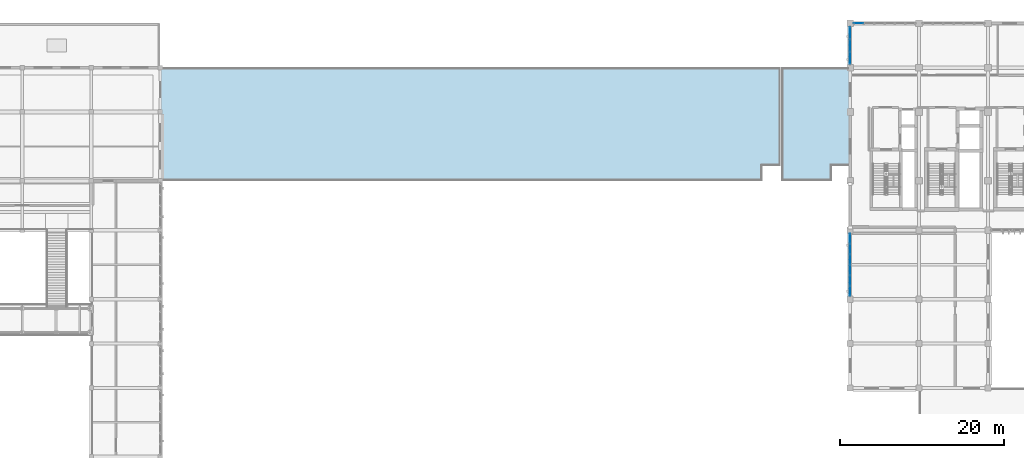
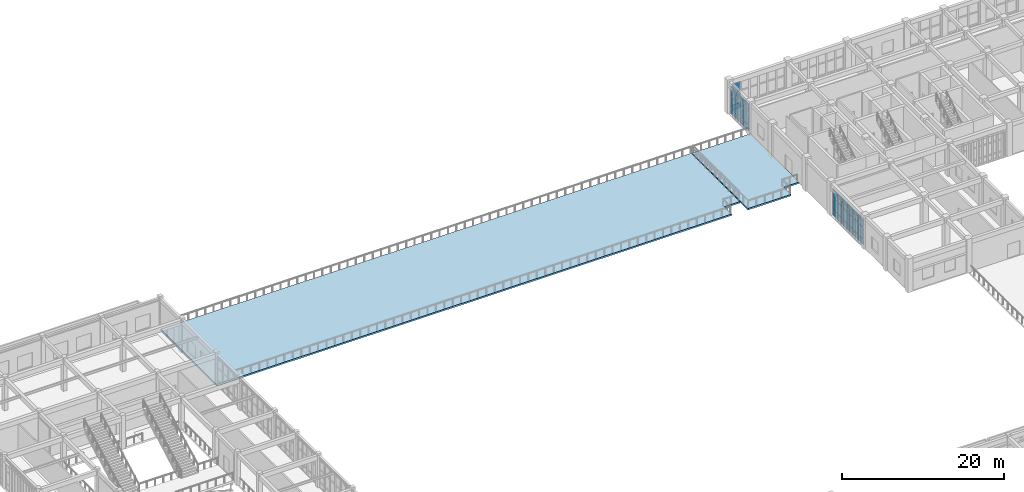
# One storey, part 62 of 93: 30 plates, 2 slabs, 3 elements without a shape of their own.
"""IFC4 building model written with IfcOpenShell, lengths in metres."""

from ifc_helpers import new_model, si_unit, direction, frame, origin, origin_2d, place, context, subcontext, project, spatial, polyline, rectangle, outline, extrude, material, layer, layer_set, type_object, element, aggregate, save


model = new_model("IFC4")

# Units and contexts
model_context = context("Model", 3, precision=1e-05, world=origin(), true_north=direction((0.0, 1.0)))
body_context = subcontext(model_context, "Body", "Model", "MODEL_VIEW")
ifc_project = project(units=[si_unit("LENGTHUNIT", "METRE"), si_unit("AREAUNIT", "SQUARE_METRE"), si_unit("VOLUMEUNIT", "CUBIC_METRE"), si_unit("PLANEANGLEUNIT", "RADIAN"), si_unit("MASSUNIT", "GRAM", prefix="KILO")], contexts=[model_context])

# Site, building, storey
site_placement = place(None, origin())
site = spatial("IfcSite", under=ifc_project, at=site_placement, CompositionType="ELEMENT")
building_placement = place(site_placement, origin())
building = spatial("IfcBuilding", under=site, at=building_placement, Name="Krzemoval Escarpment Law Courts", CompositionType="ELEMENT")
storey_placement = place(building_placement, frame((0.0, 0.0, 10.199951171875)))
storey = spatial("IfcBuildingStorey", under=building, at=storey_placement, Name="L02", CompositionType="ELEMENT", Elevation=10.199951171875)

# Curtain wall, plates
ifc_material_1 = material(Name="Aluminium 6063-T6", Category="aluminium")
ifc_layer_1 = layer(ifc_material_1, 0.239990234375)
ifc_layer_set_1 = layer_set([ifc_layer_1], Name="Aluminium 6063-T6")
curtain_wall_type = type_object("IfcCurtainWallType", Name="CW-CHMB-4800", PredefinedType="USERDEFINED", material=ifc_layer_set_1)
curtain_wall_1_placement = place(storey_placement, origin())
curtain_wall_1 = element("IfcCurtainWall", 1, at=curtain_wall_1_placement, inside=storey, type_object=curtain_wall_type, Name="Unitised Curtain Wall FCW-L02-086", ObjectType="UNITISED_CURTAIN_WALL", PredefinedType="USERDEFINED")
ifc_material_2 = material(Name="Triple Glazing IGU", Category="glass")
ifc_layer_2 = layer(ifc_material_2, 0.048095703125)
ifc_layer_set_2 = layer_set([ifc_layer_2], Name="Triple Glazing IGU")
plate_type = type_object("IfcPlateType", Name="CWP-GLZ-48", PredefinedType="CURTAIN_PANEL", material=ifc_layer_set_2)
plate_1_placement = place(storey_placement, frame((127.052001953125, 118.800048828125, 0.074951171875), z_axis=(0.0, 0.0, 1.0), x_axis=(1.0, 0.0, 0.0)))
plate_1 = element("IfcPlate", 2, at=plate_1_placement, type_object=plate_type, Name="FCW-L02-086 panel 1.1", PredefinedType="CURTAIN_PANEL", context=body_context, shape_type="SweptSolid", body=[
    extrude(rectangle(XDim=1.154052734375, YDim=0.048095703125, at=origin_2d()), origin(), (0.0, 0.0, 1.0), 0.78759765625),
])
plate_2_placement = place(storey_placement, frame((127.052001953125, 118.800048828125, 0.9375), z_axis=(0.0, 0.0, 1.0), x_axis=(1.0, 0.0, 0.0)))
plate_2 = element("IfcPlate", 3, at=plate_2_placement, type_object=plate_type, Name="FCW-L02-086 panel 1.2", PredefinedType="CURTAIN_PANEL", context=body_context, shape_type="SweptSolid", body=[
    extrude(rectangle(XDim=1.154052734375, YDim=0.048095703125, at=origin_2d()), origin(), (0.0, 0.0, 1.0), 1.72509765625),
])
plate_3_placement = place(storey_placement, frame((127.052001953125, 118.800048828125, 2.737548828125), z_axis=(0.0, 0.0, 1.0), x_axis=(1.0, 0.0, 0.0)))
plate_3 = element("IfcPlate", 4, at=plate_3_placement, type_object=plate_type, Name="FCW-L02-086 panel 1.3", PredefinedType="CURTAIN_PANEL", context=body_context, shape_type="SweptSolid", body=[
    extrude(rectangle(XDim=1.154052734375, YDim=0.048095703125, at=origin_2d()), origin(), (0.0, 0.0, 1.0), 1.3076171875),
])
aggregate(curtain_wall_1, [plate_1, plate_2, plate_3])

curtain_wall_2_placement = place(storey_placement, origin())
curtain_wall_2 = element("IfcCurtainWall", 5, at=curtain_wall_2_placement, inside=storey, type_object=curtain_wall_type, Name="Unitised Curtain Wall FCW-L02-094", ObjectType="UNITISED_CURTAIN_WALL", PredefinedType="USERDEFINED")
plate_4_placement = place(storey_placement, frame((126.0, 86.231201171875, 0.074951171875), z_axis=(0.0, 0.0, 1.0), x_axis=(0.0, 1.0, 0.0)))
plate_4 = element("IfcPlate", 6, at=plate_4_placement, type_object=plate_type, Name="FCW-L02-094 panel 1.1", PredefinedType="CURTAIN_PANEL", context=body_context, shape_type="SweptSolid", body=[
    extrude(rectangle(XDim=1.16259765625, YDim=0.048095703125, at=origin_2d()), origin(), (0.0, 0.0, 1.0), 0.78759765625),
])
plate_5_placement = place(storey_placement, frame((126.0, 86.231201171875, 0.9375), z_axis=(0.0, 0.0, 1.0), x_axis=(0.0, 1.0, 0.0)))
plate_5 = element("IfcPlate", 7, at=plate_5_placement, type_object=plate_type, Name="FCW-L02-094 panel 1.2", PredefinedType="CURTAIN_PANEL", context=body_context, shape_type="SweptSolid", body=[
    extrude(rectangle(XDim=1.16259765625, YDim=0.048095703125, at=origin_2d()), origin(), (0.0, 0.0, 1.0), 1.72509765625),
])
plate_6_placement = place(storey_placement, frame((126.0, 86.231201171875, 2.737548828125), z_axis=(0.0, 0.0, 1.0), x_axis=(0.0, 1.0, 0.0)))
plate_6 = element("IfcPlate", 8, at=plate_6_placement, type_object=plate_type, Name="FCW-L02-094 panel 1.3", PredefinedType="CURTAIN_PANEL", context=body_context, shape_type="SweptSolid", body=[
    extrude(rectangle(XDim=1.16259765625, YDim=0.048095703125, at=origin_2d()), origin(), (0.0, 0.0, 1.0), 1.3076171875),
])
plate_7_placement = place(storey_placement, frame((126.0, 87.487548828125, 0.074951171875), z_axis=(0.0, 0.0, 1.0), x_axis=(0.0, 1.0, 0.0)))
plate_7 = element("IfcPlate", 9, at=plate_7_placement, type_object=plate_type, Name="FCW-L02-094 panel 2.1", PredefinedType="CURTAIN_PANEL", context=body_context, shape_type="SweptSolid", body=[
    extrude(rectangle(XDim=1.199951171875, YDim=0.048095703125, at=origin_2d()), origin(), (0.0, 0.0, 1.0), 0.78759765625),
])
plate_8_placement = place(storey_placement, frame((126.0, 87.487548828125, 0.9375), z_axis=(0.0, 0.0, 1.0), x_axis=(0.0, 1.0, 0.0)))
plate_8 = element("IfcPlate", 10, at=plate_8_placement, type_object=plate_type, Name="FCW-L02-094 panel 2.2", PredefinedType="CURTAIN_PANEL", context=body_context, shape_type="SweptSolid", body=[
    extrude(rectangle(XDim=1.199951171875, YDim=0.048095703125, at=origin_2d()), origin(), (0.0, 0.0, 1.0), 1.72509765625),
])
plate_9_placement = place(storey_placement, frame((126.0, 87.487548828125, 2.737548828125), z_axis=(0.0, 0.0, 1.0), x_axis=(0.0, 1.0, 0.0)))
plate_9 = element("IfcPlate", 11, at=plate_9_placement, type_object=plate_type, Name="FCW-L02-094 panel 2.3", PredefinedType="CURTAIN_PANEL", context=body_context, shape_type="SweptSolid", body=[
    extrude(rectangle(XDim=1.199951171875, YDim=0.048095703125, at=origin_2d()), origin(), (0.0, 0.0, 1.0), 1.3076171875),
])
plate_10_placement = place(storey_placement, frame((126.0, 88.762451171875, 0.074951171875), z_axis=(0.0, 0.0, 1.0), x_axis=(0.0, 1.0, 0.0)))
plate_10 = element("IfcPlate", 12, at=plate_10_placement, type_object=plate_type, Name="FCW-L02-094 panel 3.1", PredefinedType="CURTAIN_PANEL", context=body_context, shape_type="SweptSolid", body=[
    extrude(rectangle(XDim=1.199951171875, YDim=0.048095703125, at=origin_2d()), origin(), (0.0, 0.0, 1.0), 0.78759765625),
])
plate_11_placement = place(storey_placement, frame((126.0, 88.762451171875, 0.9375), z_axis=(0.0, 0.0, 1.0), x_axis=(0.0, 1.0, 0.0)))
plate_11 = element("IfcPlate", 13, at=plate_11_placement, type_object=plate_type, Name="FCW-L02-094 panel 3.2", PredefinedType="CURTAIN_PANEL", context=body_context, shape_type="SweptSolid", body=[
    extrude(rectangle(XDim=1.199951171875, YDim=0.048095703125, at=origin_2d()), origin(), (0.0, 0.0, 1.0), 1.72509765625),
])
plate_12_placement = place(storey_placement, frame((126.0, 88.762451171875, 2.737548828125), z_axis=(0.0, 0.0, 1.0), x_axis=(0.0, 1.0, 0.0)))
plate_12 = element("IfcPlate", 14, at=plate_12_placement, type_object=plate_type, Name="FCW-L02-094 panel 3.3", PredefinedType="CURTAIN_PANEL", context=body_context, shape_type="SweptSolid", body=[
    extrude(rectangle(XDim=1.199951171875, YDim=0.048095703125, at=origin_2d()), origin(), (0.0, 0.0, 1.0), 1.3076171875),
])
plate_13_placement = place(storey_placement, frame((126.0, 90.03759765625, 0.074951171875), z_axis=(0.0, 0.0, 1.0), x_axis=(0.0, 1.0, 0.0)))
plate_13 = element("IfcPlate", 15, at=plate_13_placement, type_object=plate_type, Name="FCW-L02-094 panel 4.1", PredefinedType="CURTAIN_PANEL", context=body_context, shape_type="SweptSolid", body=[
    extrude(rectangle(XDim=1.199951171875, YDim=0.048095703125, at=origin_2d()), origin(), (0.0, 0.0, 1.0), 0.78759765625),
])
plate_14_placement = place(storey_placement, frame((126.0, 90.03759765625, 0.9375), z_axis=(0.0, 0.0, 1.0), x_axis=(0.0, 1.0, 0.0)))
plate_14 = element("IfcPlate", 16, at=plate_14_placement, type_object=plate_type, Name="FCW-L02-094 panel 4.2", PredefinedType="CURTAIN_PANEL", context=body_context, shape_type="SweptSolid", body=[
    extrude(rectangle(XDim=1.199951171875, YDim=0.048095703125, at=origin_2d()), origin(), (0.0, 0.0, 1.0), 1.72509765625),
])
plate_15_placement = place(storey_placement, frame((126.0, 90.03759765625, 2.737548828125), z_axis=(0.0, 0.0, 1.0), x_axis=(0.0, 1.0, 0.0)))
plate_15 = element("IfcPlate", 17, at=plate_15_placement, type_object=plate_type, Name="FCW-L02-094 panel 4.3", PredefinedType="CURTAIN_PANEL", context=body_context, shape_type="SweptSolid", body=[
    extrude(rectangle(XDim=1.199951171875, YDim=0.048095703125, at=origin_2d()), origin(), (0.0, 0.0, 1.0), 1.3076171875),
])
plate_16_placement = place(storey_placement, frame((126.0, 91.3125, 0.074951171875), z_axis=(0.0, 0.0, 1.0), x_axis=(0.0, 1.0, 0.0)))
plate_16 = element("IfcPlate", 18, at=plate_16_placement, type_object=plate_type, Name="FCW-L02-094 panel 5.1", PredefinedType="CURTAIN_PANEL", context=body_context, shape_type="SweptSolid", body=[
    extrude(rectangle(XDim=1.199951171875, YDim=0.048095703125, at=origin_2d()), origin(), (0.0, 0.0, 1.0), 0.78759765625),
])
plate_17_placement = place(storey_placement, frame((126.0, 91.3125, 0.9375), z_axis=(0.0, 0.0, 1.0), x_axis=(0.0, 1.0, 0.0)))
plate_17 = element("IfcPlate", 19, at=plate_17_placement, type_object=plate_type, Name="FCW-L02-094 panel 5.2", PredefinedType="CURTAIN_PANEL", context=body_context, shape_type="SweptSolid", body=[
    extrude(rectangle(XDim=1.199951171875, YDim=0.048095703125, at=origin_2d()), origin(), (0.0, 0.0, 1.0), 1.72509765625),
])
plate_18_placement = place(storey_placement, frame((126.0, 91.3125, 2.737548828125), z_axis=(0.0, 0.0, 1.0), x_axis=(0.0, 1.0, 0.0)))
plate_18 = element("IfcPlate", 20, at=plate_18_placement, type_object=plate_type, Name="FCW-L02-094 panel 5.3", PredefinedType="CURTAIN_PANEL", context=body_context, shape_type="SweptSolid", body=[
    extrude(rectangle(XDim=1.199951171875, YDim=0.048095703125, at=origin_2d()), origin(), (0.0, 0.0, 1.0), 1.3076171875),
])
plate_19_placement = place(storey_placement, frame((126.0, 92.56884765625, 0.074951171875), z_axis=(0.0, 0.0, 1.0), x_axis=(0.0, 1.0, 0.0)))
plate_19 = element("IfcPlate", 21, at=plate_19_placement, type_object=plate_type, Name="FCW-L02-094 panel 6.1", PredefinedType="CURTAIN_PANEL", context=body_context, shape_type="SweptSolid", body=[
    extrude(rectangle(XDim=1.16259765625, YDim=0.048095703125, at=origin_2d()), origin(), (0.0, 0.0, 1.0), 0.78759765625),
])
plate_20_placement = place(storey_placement, frame((126.0, 92.56884765625, 0.9375), z_axis=(0.0, 0.0, 1.0), x_axis=(0.0, 1.0, 0.0)))
plate_20 = element("IfcPlate", 22, at=plate_20_placement, type_object=plate_type, Name="FCW-L02-094 panel 6.2", PredefinedType="CURTAIN_PANEL", context=body_context, shape_type="SweptSolid", body=[
    extrude(rectangle(XDim=1.16259765625, YDim=0.048095703125, at=origin_2d()), origin(), (0.0, 0.0, 1.0), 1.72509765625),
])
plate_21_placement = place(storey_placement, frame((126.0, 92.56884765625, 2.737548828125), z_axis=(0.0, 0.0, 1.0), x_axis=(0.0, 1.0, 0.0)))
plate_21 = element("IfcPlate", 23, at=plate_21_placement, type_object=plate_type, Name="FCW-L02-094 panel 6.3", PredefinedType="CURTAIN_PANEL", context=body_context, shape_type="SweptSolid", body=[
    extrude(rectangle(XDim=1.16259765625, YDim=0.048095703125, at=origin_2d()), origin(), (0.0, 0.0, 1.0), 1.3076171875),
])
aggregate(curtain_wall_2, [plate_4, plate_5, plate_6, plate_7, plate_8, plate_9, plate_10, plate_11, plate_12, plate_13, plate_14, plate_15, plate_16, plate_17, plate_18, plate_19, plate_20, plate_21])

curtain_wall_3_placement = place(storey_placement, origin())
curtain_wall_3 = element("IfcCurtainWall", 24, at=curtain_wall_3_placement, inside=storey, type_object=curtain_wall_type, Name="Unitised Curtain Wall FCW-L02-095", ObjectType="UNITISED_CURTAIN_WALL", PredefinedType="USERDEFINED")
plate_22_placement = place(storey_placement, frame((126.0, 114.58544921875, 0.074951171875), z_axis=(0.0, 0.0, 1.0), x_axis=(0.0, 1.0, 0.0)))
plate_22 = element("IfcPlate", 25, at=plate_22_placement, type_object=plate_type, Name="FCW-L02-095 panel 1.1", PredefinedType="CURTAIN_PANEL", context=body_context, shape_type="SweptSolid", body=[
    extrude(rectangle(XDim=1.4208984375, YDim=0.048095703125, at=origin_2d()), origin(), (0.0, 0.0, 1.0), 0.78759765625),
])
plate_23_placement = place(storey_placement, frame((126.0, 114.58544921875, 0.9375), z_axis=(0.0, 0.0, 1.0), x_axis=(0.0, 1.0, 0.0)))
plate_23 = element("IfcPlate", 26, at=plate_23_placement, type_object=plate_type, Name="FCW-L02-095 panel 1.2", PredefinedType="CURTAIN_PANEL", context=body_context, shape_type="SweptSolid", body=[
    extrude(rectangle(XDim=1.4208984375, YDim=0.048095703125, at=origin_2d()), origin(), (0.0, 0.0, 1.0), 1.72509765625),
])
plate_24_placement = place(storey_placement, frame((126.0, 114.58544921875, 2.737548828125), z_axis=(0.0, 0.0, 1.0), x_axis=(0.0, 1.0, 0.0)))
plate_24 = element("IfcPlate", 27, at=plate_24_placement, type_object=plate_type, Name="FCW-L02-095 panel 1.3", PredefinedType="CURTAIN_PANEL", context=body_context, shape_type="SweptSolid", body=[
    extrude(rectangle(XDim=1.4208984375, YDim=0.048095703125, at=origin_2d()), origin(), (0.0, 0.0, 1.0), 1.45751953125),
])
plate_25_placement = place(storey_placement, frame((126.0, 116.10009765625, 0.074951171875), z_axis=(0.0, 0.0, 1.0), x_axis=(0.0, 1.0, 0.0)))
plate_25 = element("IfcPlate", 28, at=plate_25_placement, type_object=plate_type, Name="FCW-L02-095 panel 2.1", PredefinedType="CURTAIN_PANEL", context=body_context, shape_type="SweptSolid", body=[
    extrude(rectangle(XDim=1.458251953125, YDim=0.048095703125, at=origin_2d()), origin(), (0.0, 0.0, 1.0), 0.78759765625),
])
plate_26_placement = place(storey_placement, frame((126.0, 116.10009765625, 0.9375), z_axis=(0.0, 0.0, 1.0), x_axis=(0.0, 1.0, 0.0)))
plate_26 = element("IfcPlate", 29, at=plate_26_placement, type_object=plate_type, Name="FCW-L02-095 panel 2.2", PredefinedType="CURTAIN_PANEL", context=body_context, shape_type="SweptSolid", body=[
    extrude(rectangle(XDim=1.458251953125, YDim=0.048095703125, at=origin_2d()), origin(), (0.0, 0.0, 1.0), 1.72509765625),
])
plate_27_placement = place(storey_placement, frame((126.0, 116.10009765625, 2.737548828125), z_axis=(0.0, 0.0, 1.0), x_axis=(0.0, 1.0, 0.0)))
plate_27 = element("IfcPlate", 30, at=plate_27_placement, type_object=plate_type, Name="FCW-L02-095 panel 2.3", PredefinedType="CURTAIN_PANEL", context=body_context, shape_type="SweptSolid", body=[
    extrude(rectangle(XDim=1.458251953125, YDim=0.048095703125, at=origin_2d()), origin(), (0.0, 0.0, 1.0), 1.45751953125),
])
plate_28_placement = place(storey_placement, frame((126.0, 117.614501953125, 0.074951171875), z_axis=(0.0, 0.0, 1.0), x_axis=(0.0, 1.0, 0.0)))
plate_28 = element("IfcPlate", 31, at=plate_28_placement, type_object=plate_type, Name="FCW-L02-095 panel 3.1", PredefinedType="CURTAIN_PANEL", context=body_context, shape_type="SweptSolid", body=[
    extrude(rectangle(XDim=1.4208984375, YDim=0.048095703125, at=origin_2d()), origin(), (0.0, 0.0, 1.0), 0.78759765625),
])
plate_29_placement = place(storey_placement, frame((126.0, 117.614501953125, 0.9375), z_axis=(0.0, 0.0, 1.0), x_axis=(0.0, 1.0, 0.0)))
plate_29 = element("IfcPlate", 32, at=plate_29_placement, type_object=plate_type, Name="FCW-L02-095 panel 3.2", PredefinedType="CURTAIN_PANEL", context=body_context, shape_type="SweptSolid", body=[
    extrude(rectangle(XDim=1.4208984375, YDim=0.048095703125, at=origin_2d()), origin(), (0.0, 0.0, 1.0), 1.72509765625),
])
plate_30_placement = place(storey_placement, frame((126.0, 117.614501953125, 2.737548828125), z_axis=(0.0, 0.0, 1.0), x_axis=(0.0, 1.0, 0.0)))
plate_30 = element("IfcPlate", 33, at=plate_30_placement, type_object=plate_type, Name="FCW-L02-095 panel 3.3", PredefinedType="CURTAIN_PANEL", context=body_context, shape_type="SweptSolid", body=[
    extrude(rectangle(XDim=1.4208984375, YDim=0.048095703125, at=origin_2d()), origin(), (0.0, 0.0, 1.0), 1.45751953125),
])
aggregate(curtain_wall_3, [plate_22, plate_23, plate_24, plate_25, plate_26, plate_27, plate_28, plate_29, plate_30])

# Slabs
ifc_material_3 = material(Name="Concrete C40/50", Category="concrete")
ifc_layer_3 = layer(ifc_material_3, 0.22998046875)
ifc_layer_set_3 = layer_set([ifc_layer_3], Name="Concrete C40/50")
slab_type = type_object("IfcSlabType", Name="SL-TER-320", PredefinedType="ROOF", material=ifc_layer_set_3)
slab_1_placement = place(storey_placement, frame((0.0, 0.0, -0.22998046875)))
element("IfcSlab", 34, at=slab_1_placement, inside=storey, type_object=slab_type, Name="Planted Roof Terrace West", PredefinedType="ROOF", context=body_context, shape_type="SweptSolid", body=[
    extrude(outline(polyline([(42.0400390625, 113.39990234375), (117.56005859375, 113.39990234375), (117.56005859375, 101.39990234375), (115.360107421875, 101.39990234375), (115.360107421875, 99.60009765625), (42.0400390625, 99.60009765625), (42.0400390625, 113.39990234375)])), origin(), (0.0, 0.0, 1.0), 0.22998046875),
])
slab_2_placement = place(storey_placement, frame((0.0, 0.0, -0.22998046875)))
element("IfcSlab", 35, at=slab_2_placement, inside=storey, type_object=slab_type, Name="Planted Roof Terrace East", PredefinedType="ROOF", context=body_context, shape_type="SweptSolid", body=[
    extrude(outline(polyline([(117.639892578125, 113.39990234375), (126.0, 113.39990234375), (126.0, 101.39990234375), (123.800048828125, 101.39990234375), (123.800048828125, 99.60009765625), (117.639892578125, 99.60009765625), (117.639892578125, 113.39990234375)])), origin(), (0.0, 0.0, 1.0), 0.22998046875),
])

save(model, "model.ifc")
